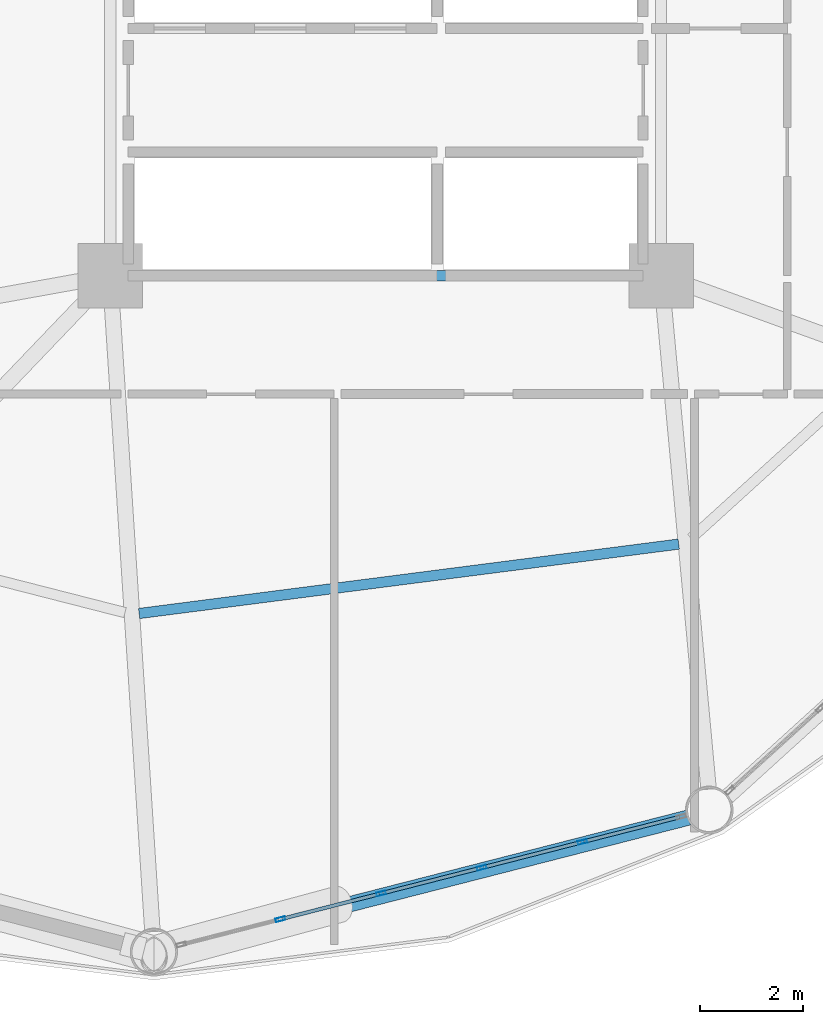
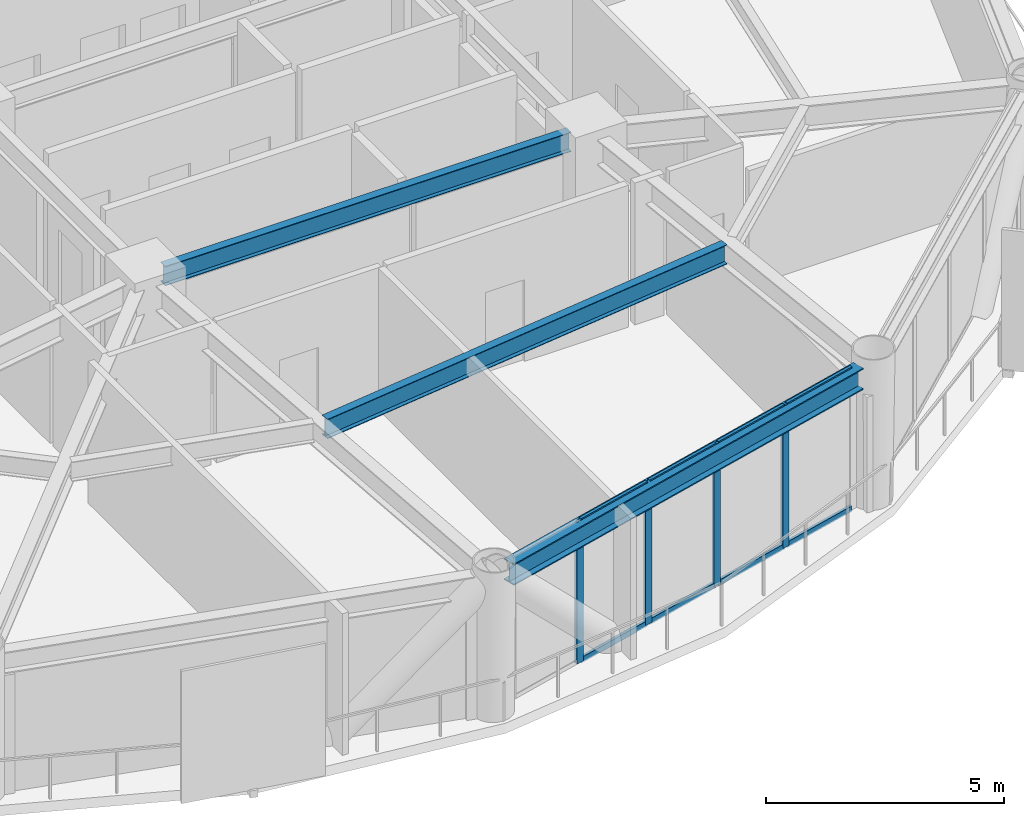
# One storey, part 7 of 25: 12 members, 3 beams, 1 element without a shape of its own.
"""IFC4 building model written with IfcOpenShell, lengths in metres."""

from ifc_helpers import new_model, si_unit, direction, frame, origin, origin_2d, place, context, subcontext, project, spatial, hollow_rectangle, i_section, extrude, material, layer, layer_set, material_profile, profile_set, type_object, element, aggregate, save


model = new_model("IFC4")

# Units and contexts
model_context = context("Model", 3, precision=1e-05, world=origin(), true_north=direction((0.0, 1.0)))
body_context = subcontext(model_context, "Body", "Model", "MODEL_VIEW")
ifc_project = project(units=[si_unit("LENGTHUNIT", "METRE"), si_unit("AREAUNIT", "SQUARE_METRE"), si_unit("VOLUMEUNIT", "CUBIC_METRE"), si_unit("PLANEANGLEUNIT", "RADIAN"), si_unit("MASSUNIT", "GRAM", prefix="KILO")], contexts=[model_context])

# Site, building, storey
site_placement = place(None, origin())
site = spatial("IfcSite", under=ifc_project, at=site_placement, CompositionType="ELEMENT")
building_placement = place(site_placement, origin())
building = spatial("IfcBuilding", under=site, at=building_placement, Name="Varnakorn Sky Granary", CompositionType="ELEMENT")
storey_placement = place(building_placement, frame((0.0, 0.0, 70.5)))
storey = spatial("IfcBuildingStorey", under=building, at=storey_placement, Name="L17", CompositionType="ELEMENT", Elevation=70.5)

# Beams
ifc_material_1 = material(Name="Steel S355JR", Category="steel")
ifc_material_profile_1 = material_profile(ifc_material_1, i_section(OverallWidth=0.199951171875, OverallDepth=0.5, WebThickness=0.01025390625, FlangeThickness=0.01611328125, at=origin_2d()), Name="IPE 500")
ifc_profile_set_1 = profile_set([ifc_material_profile_1], Name="Steel S355JR")
beam_type_1 = type_object("IfcBeamType", Name="BM-SEC-Z1", PredefinedType="BEAM", material=ifc_profile_set_1)
beam_1_placement = place(storey_placement, frame((-1.786865234375, -13.16162109375, 3.389892578125), z_axis=(0.991831140003, 0.127557789726, 0.0), x_axis=(-0.127557789726, 0.991831140003, 0.0)))
element("IfcBeam", 1, at=beam_1_placement, inside=storey, type_object=beam_type_1, Name="Secondary Floor Chord Beam MSB10 L17", PredefinedType="BEAM", context=body_context, shape_type="SweptSolid", body=[
    extrude(i_section(OverallWidth=0.199951171875, OverallDepth=0.5, WebThickness=0.01025390625, FlangeThickness=0.01611328125, at=origin_2d()), origin(), (0.0, 0.0, 1.0), 10.565185546875),
])
beam_2_placement = place(storey_placement, frame((-1.929931640625, -6.60009765625, 3.389892578125), z_axis=(1.0, 0.0, 0.0), x_axis=(0.0, 1.0, 0.0)))
element("IfcBeam", 2, at=beam_2_placement, inside=storey, type_object=beam_type_1, Name="Core Spine Framing Beam 6 L17", PredefinedType="BEAM", context=body_context, shape_type="SweptSolid", body=[
    extrude(i_section(OverallWidth=0.199951171875, OverallDepth=0.5, WebThickness=0.01025390625, FlangeThickness=0.01611328125, at=origin_2d()), origin(), (0.0, 0.0, 1.0), 9.85986328125),
])
ifc_material_profile_2 = material_profile(ifc_material_1, i_section(OverallWidth=0.300048828125, OverallDepth=0.550048828125, WebThickness=0.014892578125, FlangeThickness=0.029052734375, at=origin_2d()), Name="HE 550 B")
ifc_profile_set_2 = profile_set([ifc_material_profile_2], Name="Steel S355JR")
beam_type_2 = type_object("IfcBeamType", Name="BM-SPD-Z1", PredefinedType="SPANDREL", material=ifc_profile_set_2)
beam_3_placement = place(storey_placement, frame((-1.07177734375, -19.67138671875, 3.364990234375), z_axis=(0.968786255359, 0.247897542196, 0.0), x_axis=(-0.247897542196, 0.968786255359, 0.0)))
element("IfcBeam", 3, at=beam_3_placement, inside=storey, type_object=beam_type_2, Name="Perimeter Spandrel Ring Beam RB10 L17", PredefinedType="SPANDREL", context=body_context, shape_type="SweptSolid", body=[
    extrude(i_section(OverallWidth=0.300048828125, OverallDepth=0.550048828125, WebThickness=0.014892578125, FlangeThickness=0.029052734375, at=origin_2d()), origin(), (0.0, 0.0, 1.0), 10.27783203125),
])

# Curtain wall, members
ifc_material_2 = material(Name="Anodised Bronze Aluminium Alloy 6063-T6", Category="aluminium")
ifc_layer = layer(ifc_material_2, 0.18994140625, Name="Anodised Bronze Aluminium Alloy 6063-T6")
ifc_layer_set = layer_set([ifc_layer], Name="Anodised Bronze Aluminium Alloy 6063-T6")
curtain_wall_type = type_object("IfcCurtainWallType", Name="CW-FRM-1", PredefinedType="USERDEFINED", material=ifc_layer_set)
curtain_wall_placement = place(storey_placement, origin())
curtain_wall = element("IfcCurtainWall", 4, at=curtain_wall_placement, inside=storey, type_object=curtain_wall_type, Name="Unitised Curtain Wall CW3 CW-L17-B10", ObjectType="CURTAIN WALL", PredefinedType="USERDEFINED")
ifc_material_profile_3 = material_profile(ifc_material_2, hollow_rectangle(XDim=0.070068359375, YDim=0.18505859375, WallThickness=0.00390625, at=origin_2d()), Name="ALU MULL 70x185")
ifc_profile_set_3 = profile_set([ifc_material_profile_3], Name="Anodised Bronze Aluminium Alloy 6063-T6")
member_type_1 = type_object("IfcMemberType", Name="CW-FRM-1-MULL", PredefinedType="MULLION", material=ifc_profile_set_3)
member_1_placement = place(storey_placement, frame((6.822998046875, -17.597900390625, 0.0), z_axis=(0.0, 0.0, 1.0), x_axis=(0.248054256389, -0.968746141095, 0.0)))
member_1 = element("IfcMember", 5, at=member_1_placement, type_object=member_type_1, Name="CW3 mullion 2", PredefinedType="MULLION", context=body_context, shape_type="SweptSolid", body=[
    extrude(hollow_rectangle(XDim=0.070068359375, YDim=0.18505859375, WallThickness=0.00390625, at=origin_2d()), origin(), (0.0, 0.0, 1.0), 3.639892578125),
])
member_2_placement = place(storey_placement, frame((4.867431640625, -18.0986328125, 0.0), z_axis=(0.0, 0.0, 1.0), x_axis=(0.248054256389, -0.968746141095, 0.0)))
member_2 = element("IfcMember", 6, at=member_2_placement, type_object=member_type_1, Name="CW3 mullion 3", PredefinedType="MULLION", context=body_context, shape_type="SweptSolid", body=[
    extrude(hollow_rectangle(XDim=0.070068359375, YDim=0.18505859375, WallThickness=0.00390625, at=origin_2d()), origin(), (0.0, 0.0, 1.0), 3.639892578125),
])
member_3_placement = place(storey_placement, frame((2.911865234375, -18.599365234375, 0.0), z_axis=(0.0, 0.0, 1.0), x_axis=(0.248054256389, -0.968746141095, 0.0)))
member_3 = element("IfcMember", 7, at=member_3_placement, type_object=member_type_1, Name="CW3 mullion 4", PredefinedType="MULLION", context=body_context, shape_type="SweptSolid", body=[
    extrude(hollow_rectangle(XDim=0.070068359375, YDim=0.18505859375, WallThickness=0.00390625, at=origin_2d()), origin(), (0.0, 0.0, 1.0), 3.639892578125),
])
member_4_placement = place(storey_placement, frame((0.956298828125, -19.10009765625, 0.0), z_axis=(0.0, 0.0, 1.0), x_axis=(0.248054256389, -0.968746141095, 0.0)))
member_4 = element("IfcMember", 8, at=member_4_placement, type_object=member_type_1, Name="CW3 mullion 5", PredefinedType="MULLION", context=body_context, shape_type="SweptSolid", body=[
    extrude(hollow_rectangle(XDim=0.070068359375, YDim=0.18505859375, WallThickness=0.00390625, at=origin_2d()), origin(), (0.0, 0.0, 1.0), 3.639892578125),
])
ifc_material_profile_4 = material_profile(ifc_material_2, hollow_rectangle(XDim=0.070068359375, YDim=0.139892578125, WallThickness=0.00341796875, at=origin_2d()), Name="ALU TRAN 70x140")
ifc_profile_set_4 = profile_set([ifc_material_profile_4], Name="Anodised Bronze Aluminium Alloy 6063-T6")
member_type_2 = type_object("IfcMemberType", Name="CW-FRM-1-TRAN", PredefinedType="USERDEFINED", material=ifc_profile_set_4)
member_5_placement = place(storey_placement, frame((8.7109375, -17.114501953125, 0.034912109375), z_axis=(-0.96876137669, -0.247994747996, 0.0), x_axis=(0.247994747996, -0.96876137669, 0.0)))
member_5 = element("IfcMember", 9, at=member_5_placement, type_object=member_type_2, Name="CW3 transom 1.1", ObjectType="TRANSOM", PredefinedType="USERDEFINED", context=body_context, shape_type="SweptSolid", body=[
    extrude(hollow_rectangle(XDim=0.070068359375, YDim=0.139892578125, WallThickness=0.00341796875, at=origin_2d()), origin(), (0.0, 0.0, 1.0), 1.913818359375),
])
member_6_placement = place(storey_placement, frame((8.7109375, -17.114501953125, 3.60498046875), z_axis=(-0.96876137669, -0.247994747996, 0.0), x_axis=(0.247994747996, -0.96876137669, 0.0)))
member_6 = element("IfcMember", 10, at=member_6_placement, type_object=member_type_2, Name="CW3 transom 1.2", ObjectType="TRANSOM", PredefinedType="USERDEFINED", context=body_context, shape_type="SweptSolid", body=[
    extrude(hollow_rectangle(XDim=0.070068359375, YDim=0.139892578125, WallThickness=0.00341796875, at=origin_2d()), origin(), (0.0, 0.0, 1.0), 1.913818359375),
])
member_7_placement = place(storey_placement, frame((6.789306640625, -17.6064453125, 0.034912109375), z_axis=(-0.96874881986, -0.248043794559, 0.0), x_axis=(0.248043794559, -0.96874881986, 0.0)))
member_7 = element("IfcMember", 11, at=member_7_placement, type_object=member_type_2, Name="CW3 transom 2.1", ObjectType="TRANSOM", PredefinedType="USERDEFINED", context=body_context, shape_type="SweptSolid", body=[
    extrude(hollow_rectangle(XDim=0.070068359375, YDim=0.139892578125, WallThickness=0.00341796875, at=origin_2d()), origin(), (0.0, 0.0, 1.0), 1.94873046875),
])
member_8_placement = place(storey_placement, frame((6.789306640625, -17.6064453125, 3.60498046875), z_axis=(-0.96874881986, -0.248043794559, 0.0), x_axis=(0.248043794559, -0.96874881986, 0.0)))
member_8 = element("IfcMember", 12, at=member_8_placement, type_object=member_type_2, Name="CW3 transom 2.2", ObjectType="TRANSOM", PredefinedType="USERDEFINED", context=body_context, shape_type="SweptSolid", body=[
    extrude(hollow_rectangle(XDim=0.070068359375, YDim=0.139892578125, WallThickness=0.00341796875, at=origin_2d()), origin(), (0.0, 0.0, 1.0), 1.94873046875),
])
member_9_placement = place(storey_placement, frame((4.833740234375, -18.107177734375, 0.034912109375), z_axis=(-0.96874881986, -0.248043794559, 0.0), x_axis=(0.248043794559, -0.96874881986, 0.0)))
member_9 = element("IfcMember", 13, at=member_9_placement, type_object=member_type_2, Name="CW3 transom 3.1", ObjectType="TRANSOM", PredefinedType="USERDEFINED", context=body_context, shape_type="SweptSolid", body=[
    extrude(hollow_rectangle(XDim=0.070068359375, YDim=0.139892578125, WallThickness=0.00341796875, at=origin_2d()), origin(), (0.0, 0.0, 1.0), 1.94873046875),
])
member_10_placement = place(storey_placement, frame((4.833740234375, -18.107177734375, 3.60498046875), z_axis=(-0.96874881986, -0.248043794559, 0.0), x_axis=(0.248043794559, -0.96874881986, 0.0)))
member_10 = element("IfcMember", 14, at=member_10_placement, type_object=member_type_2, Name="CW3 transom 3.2", ObjectType="TRANSOM", PredefinedType="USERDEFINED", context=body_context, shape_type="SweptSolid", body=[
    extrude(hollow_rectangle(XDim=0.070068359375, YDim=0.139892578125, WallThickness=0.00341796875, at=origin_2d()), origin(), (0.0, 0.0, 1.0), 1.94873046875),
])
member_11_placement = place(storey_placement, frame((2.878173828125, -18.60791015625, 0.034912109375), z_axis=(-0.96874881986, -0.248043794559, 0.0), x_axis=(0.248043794559, -0.96874881986, 0.0)))
member_11 = element("IfcMember", 15, at=member_11_placement, type_object=member_type_2, Name="CW3 transom 4.1", ObjectType="TRANSOM", PredefinedType="USERDEFINED", context=body_context, shape_type="SweptSolid", body=[
    extrude(hollow_rectangle(XDim=0.070068359375, YDim=0.139892578125, WallThickness=0.00341796875, at=origin_2d()), origin(), (0.0, 0.0, 1.0), 1.94873046875),
])
member_12_placement = place(storey_placement, frame((2.878173828125, -18.60791015625, 3.60498046875), z_axis=(-0.96874881986, -0.248043794559, 0.0), x_axis=(0.248043794559, -0.96874881986, 0.0)))
member_12 = element("IfcMember", 16, at=member_12_placement, type_object=member_type_2, Name="CW3 transom 4.2", ObjectType="TRANSOM", PredefinedType="USERDEFINED", context=body_context, shape_type="SweptSolid", body=[
    extrude(hollow_rectangle(XDim=0.070068359375, YDim=0.139892578125, WallThickness=0.00341796875, at=origin_2d()), origin(), (0.0, 0.0, 1.0), 1.94873046875),
])
aggregate(curtain_wall, [member_1, member_2, member_3, member_4, member_5, member_6, member_7, member_8, member_9, member_10, member_11, member_12])

save(model, "model.ifc")
